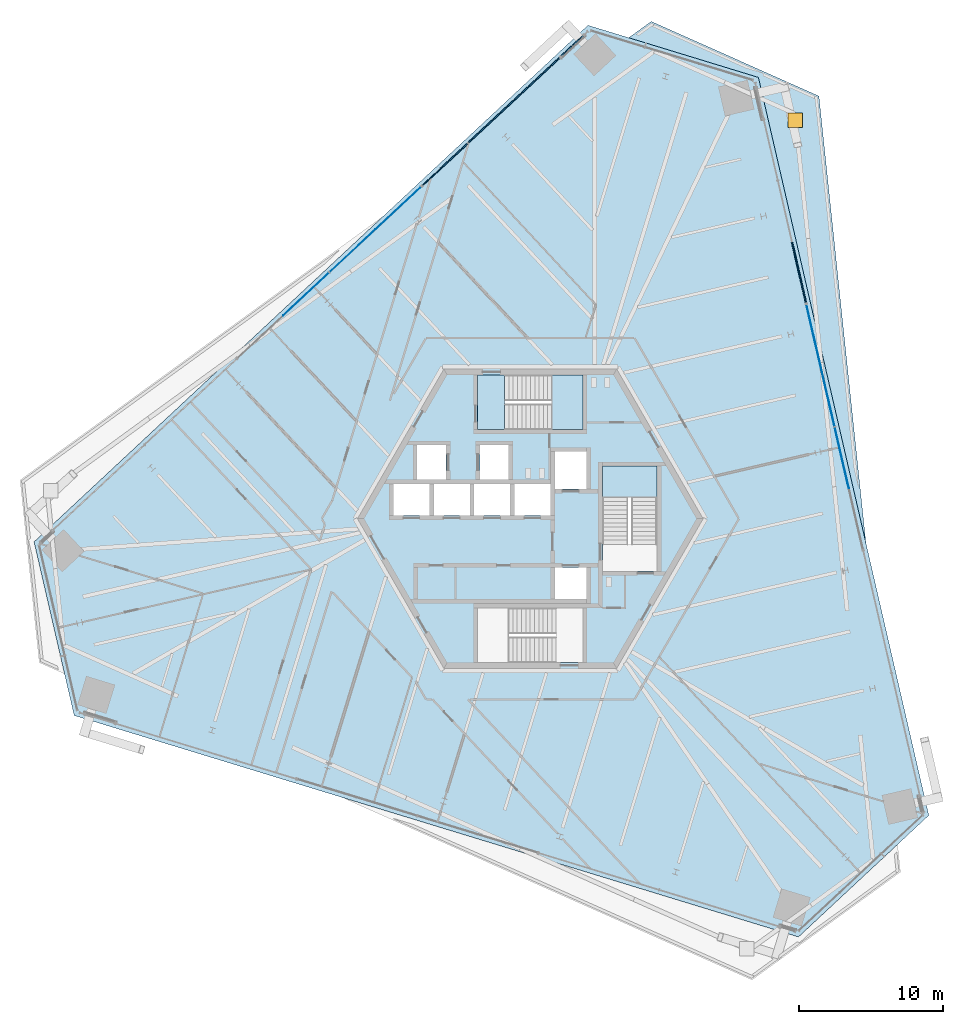
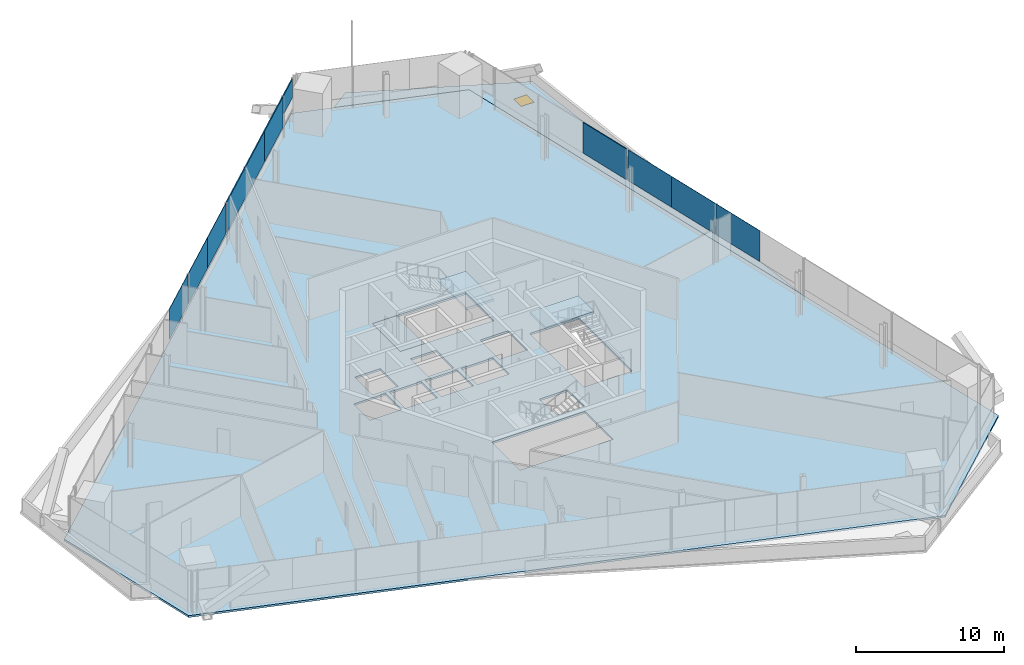
# One storey, part 16 of 25: 11 plates, 5 slabs, 1 door, 1 opening, 7 elements without a shape of their own.
"""IFC4 building model written with IfcOpenShell, lengths in metres."""

from ifc_helpers import new_model, si_unit, direction, frame, origin, origin_2d, place, context, subcontext, project, spatial, polyline, rectangle, outline, extrude, source, transform, mapped, material, layer, layer_set, type_object, element, fill, aggregate, save


model = new_model("IFC4")

# Units and contexts
model_context = context("Model", 3, precision=1e-05, world=origin(), true_north=direction((0.0, 1.0)))
body_context = subcontext(model_context, "Body", "Model", "MODEL_VIEW")
ifc_project = project(units=[si_unit("LENGTHUNIT", "METRE"), si_unit("AREAUNIT", "SQUARE_METRE"), si_unit("VOLUMEUNIT", "CUBIC_METRE"), si_unit("PLANEANGLEUNIT", "RADIAN"), si_unit("MASSUNIT", "GRAM", prefix="KILO")], contexts=[model_context])

# Site, building, storey
site_placement = place(None, origin())
site = spatial("IfcSite", under=ifc_project, at=site_placement, CompositionType="ELEMENT")
building_placement = place(site_placement, origin())
building = spatial("IfcBuilding", under=site, at=building_placement, Name="Triune Harvest Tower", CompositionType="ELEMENT")
storey_placement = place(building_placement, frame((0.0, 0.0, 98.300048828125)))
storey = spatial("IfcBuildingStorey", under=building, at=storey_placement, Name="L24", CompositionType="ELEMENT", Elevation=98.300048828125)

# Slab, opening, door
ifc_material_1 = material(Name="Concrete 40 MPa", Category="concrete")
ifc_layer_1 = layer(ifc_material_1, 0.159912109375)
ifc_layer_set_1 = layer_set([ifc_layer_1], Name="Concrete 40 MPa")
slab_type_1 = type_object("IfcSlabType", Name="WR-1 Wedge roof slab 160", PredefinedType="ROOF", material=ifc_layer_set_1)
slab_1_placement = place(storey_placement, frame((0.0, 0.0, -0.16015625)))
slab_1 = element("IfcSlab", 1, at=slab_1_placement, inside=storey, type_object=slab_type_1, Name="Wedge roof slab L23 2", PredefinedType="ROOF", context=body_context, shape_type="SweptSolid", body=[
    extrude(outline(polyline([(8.395751953125, 34.526611328125), (6.836181640625, 33.3935546875), (15.837646484375, 30.6416015625), (23.30224609375, -1.69140625), (20.04052734375, 29.34228515625), (8.395751953125, 34.526611328125)])), origin(), (0.0, 0.0, 1.0), 0.16015625),
])
opening_placement = place(slab_1_placement, frame((18.393310546875, 27.666259765625, 0.0)))
opening = element("IfcOpeningElement", 2, at=opening_placement, cuts=slab_1, Name="Opening RH-L23.2", PredefinedType="OPENING", context=body_context, shape_type="SweptSolid", body=[
    extrude(rectangle(XDim=1.0, YDim=1.0, at=origin_2d()), origin(), (0.0, 0.0, 1.0), 0.16015625),
])
ifc_material_2 = material(Name="Aluminium bronze anodised", Category="aluminium")
door_type = type_object("IfcDoorType", Name="RH-1 roof hatch 1000 x 1000", OperationType="SINGLE_SWING_LEFT", PredefinedType="TRAPDOOR", material=ifc_material_2)
door_placement = place(opening_placement, frame((0.0, 0.0, 0.110107421875)))
door = element("IfcDoor", 3, at=door_placement, inside=storey, type_object=door_type, Name="Roof hatch L23.2", OperationType="SINGLE_SWING_LEFT", OverallHeight=1.0, OverallWidth=1.0, PredefinedType="TRAPDOOR", context=body_context, shape_type="SweptSolid", body=[
    extrude(rectangle(XDim=1.0, YDim=1.0, at=origin_2d()), origin(), (0.0, 0.0, 1.0), 0.050048828125),
])
fill(opening, door)

# Slab
ifc_material_3 = material(Name="Concrete 40 MPa", Category="concrete")
ifc_layer_2 = layer(ifc_material_3, 0.159912109375)
ifc_layer_set_2 = layer_set([ifc_layer_2], Name="Concrete 40 MPa")
slab_type_2 = type_object("IfcSlabType", Name="SL-1 Composite floor slab 160", PredefinedType="FLOOR", material=ifc_layer_set_2)
shared_shape_1 = source(origin(), body_context, "Body", "SweptSolid", [
    extrude(outline(polyline([(27.666748046875, -20.59765625), (15.83740234375, 30.641357421875), (4.004638671875, 34.2587890625), (-34.454833984375, -1.60498046875), (-31.67138671875, -13.661376953125), (18.617431640625, -29.0361328125), (27.666748046875, -20.59765625)]), holes=[polyline([(-7.0, 0.2099609375), (-7.0, 2.409912109375), (-9.5, 2.409912109375), (-9.5, 0.2099609375), (-7.0, 0.2099609375)]), polyline([(-4.199951171875, 0.2099609375), (-4.199951171875, 2.409912109375), (-6.699951171875, 2.409912109375), (-6.699951171875, 0.2099609375), (-4.199951171875, 0.2099609375)]), polyline([(-1.39990234375, 0.2099609375), (-1.39990234375, 2.409912109375), (-3.89990234375, 2.409912109375), (-3.89990234375, 0.2099609375), (-1.39990234375, 0.2099609375)]), polyline([(1.39990234375, 0.2099609375), (1.39990234375, 2.409912109375), (-1.10009765625, 2.409912109375), (-1.10009765625, 0.2099609375), (1.39990234375, 0.2099609375)]), polyline([(3.89990234375, 2.06005859375), (3.89990234375, 4.659912109375), (1.699951171875, 4.659912109375), (1.699951171875, 2.06005859375), (3.89990234375, 2.06005859375)]), polyline([(3.89990234375, -5.590087890625), (3.89990234375, -3.389892578125), (1.699951171875, -3.389892578125), (1.699951171875, -5.590087890625), (3.89990234375, -5.590087890625)]), polyline([(-5.85009765625, 2.7099609375), (-5.85009765625, 5.110107421875), (-7.85009765625, 5.110107421875), (-7.85009765625, 2.7099609375), (-5.85009765625, 2.7099609375)]), polyline([(-1.5, 2.7099609375), (-1.5, 5.110107421875), (-3.5, 5.110107421875), (-3.5, 2.7099609375), (-1.5, 2.7099609375)]), polyline([(3.64990234375, 6.18994140625), (3.64990234375, 9.989990234375), (-3.64990234375, 9.989990234375), (-3.64990234375, 6.18994140625), (3.64990234375, 6.18994140625)]), polyline([(3.64990234375, -9.989990234375), (3.64990234375, -6.18994140625), (-3.64990234375, -6.18994140625), (-3.64990234375, -9.989990234375), (3.64990234375, -9.989990234375)]), polyline([(8.800048828125, -3.64990234375), (8.800048828125, 3.64990234375), (5.0, 3.64990234375), (5.0, -3.64990234375), (8.800048828125, -3.64990234375)])]), origin(), (0.0, 0.0, 1.0), 0.16015625),
])
slab_2_placement = place(storey_placement, frame((0.0, 0.0, -0.16015625)))
element("IfcSlab", 4, at=slab_2_placement, inside=storey, type_object=slab_type_2, Name="slab/L24/1", PredefinedType="FLOOR", context=body_context, shape_type="MappedRepresentation", body=[
    mapped(shared_shape_1, transform((0.0, 0.0, 0.0), scale=1.0)),
])

# Stair, slabs
ifc_material_4 = material(Name="Concrete 40 MPa", Category="concrete")
stair_type = type_object("IfcStairType", Name="Exit stair 1800 half turn", PredefinedType="HALF_TURN_STAIR", material=ifc_material_4)
stair_1_placement = place(storey_placement, origin())
stair_1 = element("IfcStair", 5, at=stair_1_placement, inside=storey, type_object=stair_type, Name="Exit stair north", PredefinedType="HALF_TURN_STAIR")
ifc_material_5 = material(Name="Concrete 40 MPa", Category="concrete")
ifc_layer_3 = layer(ifc_material_5, 0.199951171875)
ifc_layer_set_3 = layer_set([ifc_layer_3], Name="Concrete 40 MPa")
slab_type_3 = type_object("IfcSlabType", Name="Stair landing 200", PredefinedType="LANDING", material=ifc_layer_set_3)
shared_shape_2 = source(origin(), body_context, "Body", "SweptSolid", [
    extrude(outline(polyline([(-3.64990234375, 6.18994140625), (-1.780029296875, 6.18994140625), (-1.780029296875, 9.989990234375), (-3.64990234375, 9.989990234375), (-3.64990234375, 6.18994140625)])), origin(), (0.0, 0.0, 1.0), 0.199951171875),
])
slab_3_placement = place(storey_placement, frame((0.0, 0.0, -0.199951171875)))
slab_3 = element("IfcSlab", 6, at=slab_3_placement, type_object=slab_type_3, Name="ST-1 landing 1", PredefinedType="LANDING", context=body_context, shape_type="MappedRepresentation", body=[
    mapped(shared_shape_2, transform((0.0, 0.0, 0.0), scale=1.0)),
])
shared_shape_3 = source(origin(), body_context, "Body", "SweptSolid", [
    extrude(outline(polyline([(1.510009765625, 6.18994140625), (3.64990234375, 6.18994140625), (3.64990234375, 9.989990234375), (1.510009765625, 9.989990234375), (1.510009765625, 6.18994140625)])), origin(), (0.0, 0.0, 1.0), 0.2001953125),
])
slab_4_placement = place(storey_placement, frame((0.0, 0.0, 1.599853515625)))
slab_4 = element("IfcSlab", 7, at=slab_4_placement, type_object=slab_type_3, Name="ST-1 landing 2", PredefinedType="LANDING", context=body_context, shape_type="MappedRepresentation", body=[
    mapped(shared_shape_3, transform((0.0, 0.0, 0.0), scale=1.0)),
])
aggregate(stair_1, [slab_3, slab_4])

# Stair, slab
stair_2_placement = place(storey_placement, origin())
stair_2 = element("IfcStair", 8, at=stair_2_placement, inside=storey, type_object=stair_type, Name="Exit stair east", PredefinedType="HALF_TURN_STAIR")
shared_shape_4 = source(origin(), body_context, "Body", "SweptSolid", [
    extrude(outline(polyline([(8.800048828125, 1.510009765625), (8.800048828125, 3.64990234375), (5.0, 3.64990234375), (5.0, 1.510009765625), (8.800048828125, 1.510009765625)])), origin(), (0.0, 0.0, 1.0), 0.2001953125),
])
slab_5_placement = place(storey_placement, frame((0.0, 0.0, 1.599853515625)))
slab_5 = element("IfcSlab", 9, at=slab_5_placement, type_object=slab_type_3, Name="ST-3 landing 2", PredefinedType="LANDING", context=body_context, shape_type="MappedRepresentation", body=[
    mapped(shared_shape_4, transform((0.0, 0.0, 0.0), scale=1.0)),
])
aggregate(stair_2, [slab_5])

# Curtain wall, plate
ifc_material_6 = material(Name="Aluminium bronze anodised", Category="aluminium")
curtain_wall_type_1 = type_object("IfcCurtainWallType", Name="CW-7 Tower stick curtain wall with insulated spandrel infill", PredefinedType="NOTDEFINED", material=ifc_material_6)
curtain_wall_1_placement = place(storey_placement, origin())
curtain_wall_1 = element("IfcCurtainWall", 10, at=curtain_wall_1_placement, inside=storey, type_object=curtain_wall_type_1, Name="CW-7 B3-F1 L24 run 2101")
ifc_material_7 = material(Name="Insulated spandrel panel, bronze aluminium pan", Category="aluminium")
ifc_layer_4 = layer(ifc_material_7, 0.080078125)
ifc_layer_set_4 = layer_set([ifc_layer_4], Name="Insulated spandrel panel, bronze aluminium pan")
plate_type_1 = type_object("IfcPlateType", Name="SP-1 insulated spandrel panel 80", PredefinedType="CURTAIN_PANEL", material=ifc_layer_set_4)
shared_shape_5 = source(origin(), body_context, "Body", "SweptSolid", [
    extrude(rectangle(XDim=4.311767578125, YDim=0.080078125, at=origin_2d()), origin(), (0.0, 0.0, 1.0), 2.5400390625),
])
plate_1_placement = place(storey_placement, frame((18.6552734375, 17.1015625, 0.89990234375), z_axis=(0.0, 0.0, 1.0), x_axis=(-0.224949408455, 0.974370444767, 0.0)))
plate_1 = element("IfcPlate", 11, at=plate_1_placement, type_object=plate_type_1, Name="CW-7 panel B3-F1 2101.1", PredefinedType="CURTAIN_PANEL", context=body_context, shape_type="MappedRepresentation", body=[
    mapped(shared_shape_5, transform((0.0, 0.0, 0.0), scale=1.0)),
])
aggregate(curtain_wall_1, [plate_1])

# Curtain wall, plates
curtain_wall_2_placement = place(storey_placement, origin())
curtain_wall_2 = element("IfcCurtainWall", 12, at=curtain_wall_2_placement, inside=storey, type_object=curtain_wall_type_1, Name="CW-7 B3-F3 L24 run 201")
plate_2_placement = place(storey_placement, frame((0.458740234375, 30.542236328125, 0.89990234375), z_axis=(0.0, 0.0, 1.0), x_axis=(-0.731352610126, -0.681999530544, 0.0)))
plate_2 = element("IfcPlate", 13, at=plate_2_placement, type_object=plate_type_1, Name="CW-7 panel B3-F3 201.1", PredefinedType="CURTAIN_PANEL", context=body_context, shape_type="MappedRepresentation", body=[
    mapped(shared_shape_5, transform((0.0, 0.0, 0.0), scale=1.0)),
])
shared_shape_6 = source(origin(), body_context, "Body", "SweptSolid", [
    extrude(rectangle(XDim=4.349365234375, YDim=0.080078125, at=origin_2d()), origin(), (0.0, 0.0, 1.0), 2.5400390625),
])
plate_3_placement = place(storey_placement, frame((-2.708251953125, 27.588623046875, 0.89990234375), z_axis=(0.0, 0.0, 1.0), x_axis=(-0.731352610126, -0.681999530544, 0.0)))
plate_3 = element("IfcPlate", 14, at=plate_3_placement, type_object=plate_type_1, Name="CW-7 panel B3-F3 201.2", PredefinedType="CURTAIN_PANEL", context=body_context, shape_type="MappedRepresentation", body=[
    mapped(shared_shape_6, transform((0.0, 0.0, 0.0), scale=1.0)),
])

# Curtain wall, plate
ifc_material_8 = material(Name="Aluminium bronze anodised", Category="aluminium")
curtain_wall_type_2 = type_object("IfcCurtainWallType", Name="CW-1 Tower stick curtain wall", PredefinedType="NOTDEFINED", material=ifc_material_8)
curtain_wall_3_placement = place(storey_placement, origin())
curtain_wall_3 = element("IfcCurtainWall", 15, at=curtain_wall_3_placement, inside=storey, type_object=curtain_wall_type_2, Name="CW-1 B3-F1 L24 run 1101")
ifc_material_9 = material(Name="Glass", Category="glass")
ifc_layer_5 = layer(ifc_material_9, 0.031982421875)
ifc_layer_set_5 = layer_set([ifc_layer_5], Name="Glass")
plate_type_2 = type_object("IfcPlateType", Name="GL-1 panel 32", PredefinedType="CURTAIN_PANEL", material=ifc_layer_set_5)
shared_shape_7 = source(origin(), body_context, "Body", "SweptSolid", [
    extrude(rectangle(XDim=4.311767578125, YDim=0.031982421875, at=origin_2d()), origin(), (0.0, 0.0, 1.0), 2.5400390625),
])
plate_4_placement = place(storey_placement, frame((19.658935546875, 12.754150390625, 0.89990234375), z_axis=(0.0, 0.0, 1.0), x_axis=(-0.224955235412, 0.9743690995, 0.0)))
plate_4 = element("IfcPlate", 16, at=plate_4_placement, type_object=plate_type_2, Name="CW-1 panel B3-F1 1101.4", PredefinedType="CURTAIN_PANEL", context=body_context, shape_type="MappedRepresentation", body=[
    mapped(shared_shape_7, transform((0.0, 0.0, 0.0), scale=1.0)),
])

curtain_wall_4_placement = place(storey_placement, origin())
curtain_wall_4 = element("IfcCurtainWall", 17, at=curtain_wall_4_placement, inside=storey, type_object=curtain_wall_type_2, Name="CW-1 B3-F3 L24 run 1201")
plate_5_placement = place(storey_placement, frame((-9.166015625, 21.56689453125, 0.89990234375), z_axis=(0.0, 0.0, 1.0), x_axis=(-0.731355196887, -0.681996756581, 0.0)))
plate_5 = element("IfcPlate", 18, at=plate_5_placement, type_object=plate_type_2, Name="CW-1 panel B3-F3 1201.1", PredefinedType="CURTAIN_PANEL", context=body_context, shape_type="MappedRepresentation", body=[
    mapped(shared_shape_7, transform((0.0, 0.0, 0.0), scale=1.0)),
])

# Plate
shared_shape_8 = source(origin(), body_context, "Body", "SweptSolid", [
    extrude(rectangle(XDim=4.349365234375, YDim=0.031982421875, at=origin_2d()), origin(), (0.0, 0.0, 1.0), 2.5400390625),
])
plate_6_placement = place(storey_placement, frame((21.62841796875, 4.2236328125, 0.89990234375), z_axis=(0.0, 0.0, 1.0), x_axis=(-0.224955235412, 0.9743690995, 0.0)))
plate_6 = element("IfcPlate", 19, at=plate_6_placement, type_object=plate_type_2, Name="CW-1 panel B3-F1 1101.2", PredefinedType="CURTAIN_PANEL", context=body_context, shape_type="MappedRepresentation", body=[
    mapped(shared_shape_8, transform((0.0, 0.0, 0.0), scale=1.0)),
])

plate_7_placement = place(storey_placement, frame((20.63330078125, 8.53466796875, 0.89990234375), z_axis=(0.0, 0.0, 1.0), x_axis=(-0.224955235412, 0.9743690995, 0.0)))
plate_7 = element("IfcPlate", 20, at=plate_7_placement, type_object=plate_type_2, Name="CW-1 panel B3-F1 1101.3", PredefinedType="CURTAIN_PANEL", context=body_context, shape_type="MappedRepresentation", body=[
    mapped(shared_shape_8, transform((0.0, 0.0, 0.0), scale=1.0)),
])

aggregate(curtain_wall_3, [plate_6, plate_7, plate_4])

plate_8_placement = place(storey_placement, frame((-12.333251953125, 18.613525390625, 0.89990234375), z_axis=(0.0, 0.0, 1.0), x_axis=(-0.731355196887, -0.681996756581, 0.0)))
plate_8 = element("IfcPlate", 21, at=plate_8_placement, type_object=plate_type_2, Name="CW-1 panel B3-F3 1201.2", PredefinedType="CURTAIN_PANEL", context=body_context, shape_type="MappedRepresentation", body=[
    mapped(shared_shape_8, transform((0.0, 0.0, 0.0), scale=1.0)),
])

plate_9_placement = place(storey_placement, frame((-15.56884765625, 15.59619140625, 0.89990234375), z_axis=(0.0, 0.0, 1.0), x_axis=(-0.731355196887, -0.681996756581, 0.0)))
plate_9 = element("IfcPlate", 22, at=plate_9_placement, type_object=plate_type_2, Name="CW-1 panel B3-F3 1201.3", PredefinedType="CURTAIN_PANEL", context=body_context, shape_type="MappedRepresentation", body=[
    mapped(shared_shape_8, transform((0.0, 0.0, 0.0), scale=1.0)),
])

aggregate(curtain_wall_4, [plate_5, plate_8, plate_9])

shared_shape_9 = source(origin(), body_context, "Body", "SweptSolid", [
    extrude(rectangle(XDim=4.274169921875, YDim=0.080078125, at=origin_2d()), origin(), (0.0, 0.0, 1.0), 2.5400390625),
])
plate_10_placement = place(storey_placement, frame((-5.91650390625, 24.596923828125, 0.89990234375), z_axis=(0.0, 0.0, 1.0), x_axis=(-0.731352610126, -0.681999530544, 0.0)))
plate_10 = element("IfcPlate", 23, at=plate_10_placement, type_object=plate_type_1, Name="CW-7 panel B3-F3 201.3", PredefinedType="CURTAIN_PANEL", context=body_context, shape_type="MappedRepresentation", body=[
    mapped(shared_shape_9, transform((0.0, 0.0, 0.0), scale=1.0)),
])

aggregate(curtain_wall_2, [plate_2, plate_3, plate_10])

# Curtain wall, plate
curtain_wall_5_placement = place(storey_placement, origin())
curtain_wall_5 = element("IfcCurtainWall", 24, at=curtain_wall_5_placement, inside=storey, type_object=curtain_wall_type_1, Name="CW-7 B3-F3 L24 run 101")
shared_shape_10 = source(origin(), body_context, "Body", "SweptSolid", [
    extrude(rectangle(XDim=2.082275390625, YDim=0.080078125, at=origin_2d()), origin(), (0.0, 0.0, 1.0), 1.554931640625),
])
plate_11_placement = place(storey_placement, frame((2.90673828125, 32.82470703125, 1.884765625), z_axis=(0.0, 0.0, 1.0), x_axis=(-0.731338256304, -0.682014922759, 0.0)))
plate_11 = element("IfcPlate", 25, at=plate_11_placement, type_object=plate_type_1, Name="CW-7 panel B3-F3 101.1", PredefinedType="CURTAIN_PANEL", context=body_context, shape_type="MappedRepresentation", body=[
    mapped(shared_shape_10, transform((0.0, 0.0, 0.0), scale=1.0)),
])
aggregate(curtain_wall_5, [plate_11])

save(model, "model.ifc")
